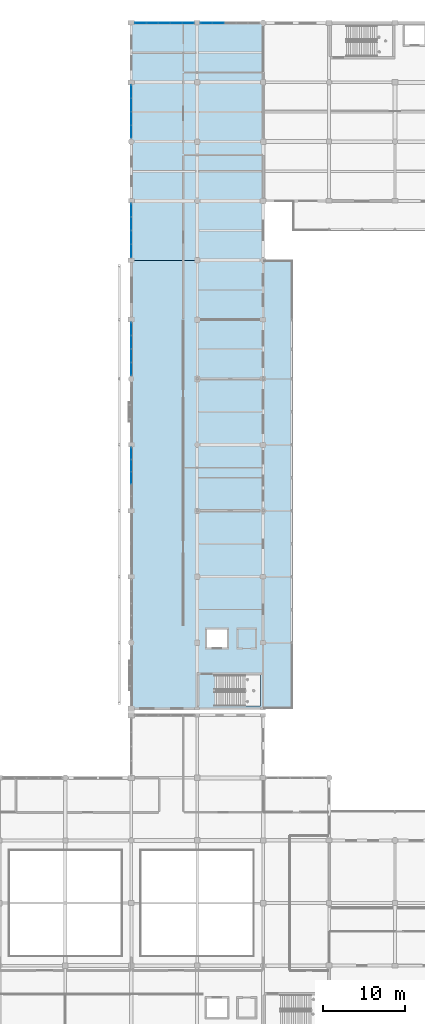
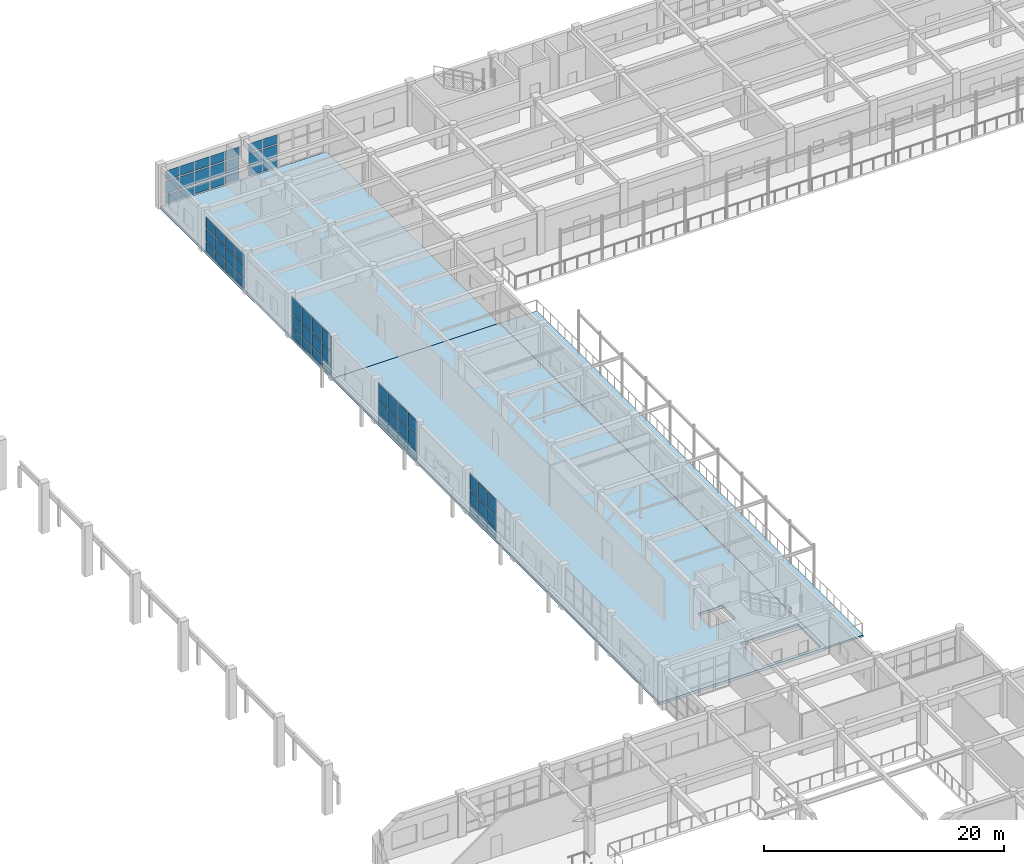
# One storey, part 114 of 160: 66 plates, 3 slabs, 6 elements without a shape of their own.
"""IFC4 building model written with IfcOpenShell, lengths in metres."""

from ifc_helpers import new_model, si_unit, direction, frame, origin, origin_2d, place, context, subcontext, project, spatial, polyline, rectangle, outline, extrude, material, layer, layer_set, type_object, element, aggregate, save


model = new_model("IFC4")

# Units and contexts
model_context = context("Model", 3, precision=1e-05, world=origin(), true_north=direction((0.0, 1.0)))
body_context = subcontext(model_context, "Body", "Model", "MODEL_VIEW")
ifc_project = project(units=[si_unit("LENGTHUNIT", "METRE"), si_unit("AREAUNIT", "SQUARE_METRE"), si_unit("VOLUMEUNIT", "CUBIC_METRE"), si_unit("PLANEANGLEUNIT", "RADIAN"), si_unit("MASSUNIT", "GRAM", prefix="KILO")], contexts=[model_context])

# Site, building, storey
site_placement = place(None, origin())
site = spatial("IfcSite", under=ifc_project, at=site_placement, CompositionType="ELEMENT")
building_placement = place(site_placement, origin())
building = spatial("IfcBuilding", under=site, at=building_placement, Name="Kharva Crest Polytechnic", CompositionType="ELEMENT")
storey_placement = place(building_placement, frame((0.0, 0.0, 4.5)))
storey = spatial("IfcBuildingStorey", under=building, at=storey_placement, Name="L01", CompositionType="ELEMENT", Elevation=4.5)

# Curtain wall, plates
ifc_material_1 = material(Name="Tempered insulated glass", Category="glass")
curtain_wall_type = type_object("IfcCurtainWallType", Name="CW-SYS-COURT", PredefinedType="USERDEFINED", material=ifc_material_1)
curtain_wall_1_placement = place(storey_placement, origin())
curtain_wall_1 = element("IfcCurtainWall", 1, at=curtain_wall_1_placement, inside=storey, type_object=curtain_wall_type, Name="L01 Glazed Curtain Wall CW-053", ObjectType="CURTAIN WALL", PredefinedType="USERDEFINED")
ifc_layer_1 = layer(ifc_material_1, 0.02392578125, Name="Tempered insulated glass")
ifc_layer_set_1 = layer_set([ifc_layer_1], Name="Tempered insulated glass")
plate_type = type_object("IfcPlateType", Name="CWP-GLZ-24", PredefinedType="CURTAIN_PANEL", material=ifc_layer_set_1)
plate_1_placement = place(storey_placement, frame((32.0, 84.858642578125, 0.119873046875), z_axis=(0.0, 0.0, 1.0), x_axis=(0.0, -1.0, 0.0)))
plate_1 = element("IfcPlate", 2, at=plate_1_placement, type_object=plate_type, Name="CW-053 panel 1.1", PredefinedType="CURTAIN_PANEL", context=body_context, shape_type="SweptSolid", body=[
    extrude(rectangle(XDim=1.512451171875, YDim=0.02392578125, at=origin_2d()), origin(), (0.0, 0.0, 1.0), 0.8701171875),
])
plate_2_placement = place(storey_placement, frame((32.0, 84.858642578125, 1.10986328125), z_axis=(0.0, 0.0, 1.0), x_axis=(0.0, -1.0, 0.0)))
plate_2 = element("IfcPlate", 3, at=plate_2_placement, type_object=plate_type, Name="CW-053 panel 1.2", PredefinedType="CURTAIN_PANEL", context=body_context, shape_type="SweptSolid", body=[
    extrude(rectangle(XDim=1.512451171875, YDim=0.02392578125, at=origin_2d()), origin(), (0.0, 0.0, 1.0), 1.280029296875),
])
plate_3_placement = place(storey_placement, frame((32.0, 84.858642578125, 2.509765625), z_axis=(0.0, 0.0, 1.0), x_axis=(0.0, -1.0, 0.0)))
plate_3 = element("IfcPlate", 4, at=plate_3_placement, type_object=plate_type, Name="CW-053 panel 1.3", PredefinedType="CURTAIN_PANEL", context=body_context, shape_type="SweptSolid", body=[
    extrude(rectangle(XDim=1.512451171875, YDim=0.02392578125, at=origin_2d()), origin(), (0.0, 0.0, 1.0), 1.590087890625),
])
plate_4_placement = place(storey_placement, frame((32.0, 83.246337890625, 0.119873046875), z_axis=(0.0, 0.0, 1.0), x_axis=(0.0, -1.0, 0.0)))
plate_4 = element("IfcPlate", 5, at=plate_4_placement, type_object=plate_type, Name="CW-053 panel 2.1", PredefinedType="CURTAIN_PANEL", context=body_context, shape_type="SweptSolid", body=[
    extrude(rectangle(XDim=1.552490234375, YDim=0.02392578125, at=origin_2d()), origin(), (0.0, 0.0, 1.0), 0.8701171875),
])
plate_5_placement = place(storey_placement, frame((32.0, 83.246337890625, 1.10986328125), z_axis=(0.0, 0.0, 1.0), x_axis=(0.0, -1.0, 0.0)))
plate_5 = element("IfcPlate", 6, at=plate_5_placement, type_object=plate_type, Name="CW-053 panel 2.2", PredefinedType="CURTAIN_PANEL", context=body_context, shape_type="SweptSolid", body=[
    extrude(rectangle(XDim=1.552490234375, YDim=0.02392578125, at=origin_2d()), origin(), (0.0, 0.0, 1.0), 1.280029296875),
])
plate_6_placement = place(storey_placement, frame((32.0, 83.246337890625, 2.509765625), z_axis=(0.0, 0.0, 1.0), x_axis=(0.0, -1.0, 0.0)))
plate_6 = element("IfcPlate", 7, at=plate_6_placement, type_object=plate_type, Name="CW-053 panel 2.3", PredefinedType="CURTAIN_PANEL", context=body_context, shape_type="SweptSolid", body=[
    extrude(rectangle(XDim=1.552490234375, YDim=0.02392578125, at=origin_2d()), origin(), (0.0, 0.0, 1.0), 1.590087890625),
])
plate_7_placement = place(storey_placement, frame((32.0, 81.61376953125, 0.119873046875), z_axis=(0.0, 0.0, 1.0), x_axis=(0.0, -1.0, 0.0)))
plate_7 = element("IfcPlate", 8, at=plate_7_placement, type_object=plate_type, Name="CW-053 panel 3.1", PredefinedType="CURTAIN_PANEL", context=body_context, shape_type="SweptSolid", body=[
    extrude(rectangle(XDim=1.552490234375, YDim=0.02392578125, at=origin_2d()), origin(), (0.0, 0.0, 1.0), 0.8701171875),
])
plate_8_placement = place(storey_placement, frame((32.0, 81.61376953125, 1.10986328125), z_axis=(0.0, 0.0, 1.0), x_axis=(0.0, -1.0, 0.0)))
plate_8 = element("IfcPlate", 9, at=plate_8_placement, type_object=plate_type, Name="CW-053 panel 3.2", PredefinedType="CURTAIN_PANEL", context=body_context, shape_type="SweptSolid", body=[
    extrude(rectangle(XDim=1.552490234375, YDim=0.02392578125, at=origin_2d()), origin(), (0.0, 0.0, 1.0), 1.280029296875),
])
plate_9_placement = place(storey_placement, frame((32.0, 81.61376953125, 2.509765625), z_axis=(0.0, 0.0, 1.0), x_axis=(0.0, -1.0, 0.0)))
plate_9 = element("IfcPlate", 10, at=plate_9_placement, type_object=plate_type, Name="CW-053 panel 3.3", PredefinedType="CURTAIN_PANEL", context=body_context, shape_type="SweptSolid", body=[
    extrude(rectangle(XDim=1.552490234375, YDim=0.02392578125, at=origin_2d()), origin(), (0.0, 0.0, 1.0), 1.590087890625),
])
plate_10_placement = place(storey_placement, frame((32.0, 80.001220703125, 0.119873046875), z_axis=(0.0, 0.0, 1.0), x_axis=(0.0, -1.0, 0.0)))
plate_10 = element("IfcPlate", 11, at=plate_10_placement, type_object=plate_type, Name="CW-053 panel 4.1", PredefinedType="CURTAIN_PANEL", context=body_context, shape_type="SweptSolid", body=[
    extrude(rectangle(XDim=1.512451171875, YDim=0.02392578125, at=origin_2d()), origin(), (0.0, 0.0, 1.0), 0.8701171875),
])
plate_11_placement = place(storey_placement, frame((32.0, 80.001220703125, 1.10986328125), z_axis=(0.0, 0.0, 1.0), x_axis=(0.0, -1.0, 0.0)))
plate_11 = element("IfcPlate", 12, at=plate_11_placement, type_object=plate_type, Name="CW-053 panel 4.2", PredefinedType="CURTAIN_PANEL", context=body_context, shape_type="SweptSolid", body=[
    extrude(rectangle(XDim=1.512451171875, YDim=0.02392578125, at=origin_2d()), origin(), (0.0, 0.0, 1.0), 1.280029296875),
])
plate_12_placement = place(storey_placement, frame((32.0, 80.001220703125, 2.509765625), z_axis=(0.0, 0.0, 1.0), x_axis=(0.0, -1.0, 0.0)))
plate_12 = element("IfcPlate", 13, at=plate_12_placement, type_object=plate_type, Name="CW-053 panel 4.3", PredefinedType="CURTAIN_PANEL", context=body_context, shape_type="SweptSolid", body=[
    extrude(rectangle(XDim=1.512451171875, YDim=0.02392578125, at=origin_2d()), origin(), (0.0, 0.0, 1.0), 1.590087890625),
])
aggregate(curtain_wall_1, [plate_1, plate_2, plate_3, plate_4, plate_5, plate_6, plate_7, plate_8, plate_9, plate_10, plate_11, plate_12])

curtain_wall_2_placement = place(storey_placement, origin())
curtain_wall_2 = element("IfcCurtainWall", 14, at=curtain_wall_2_placement, inside=storey, type_object=curtain_wall_type, Name="L01 Glazed Curtain Wall CW-054", ObjectType="CURTAIN WALL", PredefinedType="USERDEFINED")
plate_13_placement = place(storey_placement, frame((32.0, 69.756103515625, 0.119873046875), z_axis=(0.0, 0.0, 1.0), x_axis=(0.0, -1.0, 0.0)))
plate_13 = element("IfcPlate", 15, at=plate_13_placement, type_object=plate_type, Name="CW-054 panel 1.1", PredefinedType="CURTAIN_PANEL", context=body_context, shape_type="SweptSolid", body=[
    extrude(rectangle(XDim=1.367919921875, YDim=0.02392578125, at=origin_2d()), origin(), (0.0, 0.0, 1.0), 0.8701171875),
])
plate_14_placement = place(storey_placement, frame((32.0, 69.756103515625, 1.10986328125), z_axis=(0.0, 0.0, 1.0), x_axis=(0.0, -1.0, 0.0)))
plate_14 = element("IfcPlate", 16, at=plate_14_placement, type_object=plate_type, Name="CW-054 panel 1.2", PredefinedType="CURTAIN_PANEL", context=body_context, shape_type="SweptSolid", body=[
    extrude(rectangle(XDim=1.367919921875, YDim=0.02392578125, at=origin_2d()), origin(), (0.0, 0.0, 1.0), 1.280029296875),
])
plate_15_placement = place(storey_placement, frame((32.0, 69.756103515625, 2.509765625), z_axis=(0.0, 0.0, 1.0), x_axis=(0.0, -1.0, 0.0)))
plate_15 = element("IfcPlate", 17, at=plate_15_placement, type_object=plate_type, Name="CW-054 panel 1.3", PredefinedType="CURTAIN_PANEL", context=body_context, shape_type="SweptSolid", body=[
    extrude(rectangle(XDim=1.367919921875, YDim=0.02392578125, at=origin_2d()), origin(), (0.0, 0.0, 1.0), 1.590087890625),
])
plate_16_placement = place(storey_placement, frame((32.0, 68.2880859375, 0.119873046875), z_axis=(0.0, 0.0, 1.0), x_axis=(0.0, -1.0, 0.0)))
plate_16 = element("IfcPlate", 18, at=plate_16_placement, type_object=plate_type, Name="CW-054 panel 2.1", PredefinedType="CURTAIN_PANEL", context=body_context, shape_type="SweptSolid", body=[
    extrude(rectangle(XDim=1.407958984375, YDim=0.02392578125, at=origin_2d()), origin(), (0.0, 0.0, 1.0), 0.8701171875),
])
plate_17_placement = place(storey_placement, frame((32.0, 68.2880859375, 1.10986328125), z_axis=(0.0, 0.0, 1.0), x_axis=(0.0, -1.0, 0.0)))
plate_17 = element("IfcPlate", 19, at=plate_17_placement, type_object=plate_type, Name="CW-054 panel 2.2", PredefinedType="CURTAIN_PANEL", context=body_context, shape_type="SweptSolid", body=[
    extrude(rectangle(XDim=1.407958984375, YDim=0.02392578125, at=origin_2d()), origin(), (0.0, 0.0, 1.0), 1.280029296875),
])
plate_18_placement = place(storey_placement, frame((32.0, 68.2880859375, 2.509765625), z_axis=(0.0, 0.0, 1.0), x_axis=(0.0, -1.0, 0.0)))
plate_18 = element("IfcPlate", 20, at=plate_18_placement, type_object=plate_type, Name="CW-054 panel 2.3", PredefinedType="CURTAIN_PANEL", context=body_context, shape_type="SweptSolid", body=[
    extrude(rectangle(XDim=1.407958984375, YDim=0.02392578125, at=origin_2d()), origin(), (0.0, 0.0, 1.0), 1.590087890625),
])
plate_19_placement = place(storey_placement, frame((32.0, 66.800048828125, 0.119873046875), z_axis=(0.0, 0.0, 1.0), x_axis=(0.0, -1.0, 0.0)))
plate_19 = element("IfcPlate", 21, at=plate_19_placement, type_object=plate_type, Name="CW-054 panel 3.1", PredefinedType="CURTAIN_PANEL", context=body_context, shape_type="SweptSolid", body=[
    extrude(rectangle(XDim=1.407958984375, YDim=0.02392578125, at=origin_2d()), origin(), (0.0, 0.0, 1.0), 0.8701171875),
])
plate_20_placement = place(storey_placement, frame((32.0, 66.800048828125, 1.10986328125), z_axis=(0.0, 0.0, 1.0), x_axis=(0.0, -1.0, 0.0)))
plate_20 = element("IfcPlate", 22, at=plate_20_placement, type_object=plate_type, Name="CW-054 panel 3.2", PredefinedType="CURTAIN_PANEL", context=body_context, shape_type="SweptSolid", body=[
    extrude(rectangle(XDim=1.407958984375, YDim=0.02392578125, at=origin_2d()), origin(), (0.0, 0.0, 1.0), 1.280029296875),
])
plate_21_placement = place(storey_placement, frame((32.0, 66.800048828125, 2.509765625), z_axis=(0.0, 0.0, 1.0), x_axis=(0.0, -1.0, 0.0)))
plate_21 = element("IfcPlate", 23, at=plate_21_placement, type_object=plate_type, Name="CW-054 panel 3.3", PredefinedType="CURTAIN_PANEL", context=body_context, shape_type="SweptSolid", body=[
    extrude(rectangle(XDim=1.407958984375, YDim=0.02392578125, at=origin_2d()), origin(), (0.0, 0.0, 1.0), 1.590087890625),
])
aggregate(curtain_wall_2, [plate_13, plate_14, plate_15, plate_16, plate_17, plate_18, plate_19, plate_20, plate_21])

curtain_wall_3_placement = place(storey_placement, origin())
curtain_wall_3 = element("IfcCurtainWall", 24, at=curtain_wall_3_placement, inside=storey, type_object=curtain_wall_type, Name="L01 Glazed Curtain Wall CW-076", ObjectType="CURTAIN WALL", PredefinedType="USERDEFINED")
plate_22_placement = place(storey_placement, frame((42.5458984375, 122.0, 0.119873046875), z_axis=(0.0, 0.0, 1.0), x_axis=(-1.0, 0.0, 0.0)))
plate_22 = element("IfcPlate", 25, at=plate_22_placement, type_object=plate_type, Name="CW-076 panel 4.1", PredefinedType="CURTAIN_PANEL", context=body_context, shape_type="SweptSolid", body=[
    extrude(rectangle(XDim=1.3740234375, YDim=0.02392578125, at=origin_2d()), origin(), (0.0, 0.0, 1.0), 0.8701171875),
])
plate_23_placement = place(storey_placement, frame((42.5458984375, 122.0, 1.10986328125), z_axis=(0.0, 0.0, 1.0), x_axis=(-1.0, 0.0, 0.0)))
plate_23 = element("IfcPlate", 26, at=plate_23_placement, type_object=plate_type, Name="CW-076 panel 4.2", PredefinedType="CURTAIN_PANEL", context=body_context, shape_type="SweptSolid", body=[
    extrude(rectangle(XDim=1.3740234375, YDim=0.02392578125, at=origin_2d()), origin(), (0.0, 0.0, 1.0), 1.280029296875),
])
plate_24_placement = place(storey_placement, frame((42.5458984375, 122.0, 2.51025390625), z_axis=(0.0, 0.0, 1.0), x_axis=(-1.0, 0.0, 0.0)))
plate_24 = element("IfcPlate", 27, at=plate_24_placement, type_object=plate_type, Name="CW-076 panel 4.3", PredefinedType="CURTAIN_PANEL", context=body_context, shape_type="SweptSolid", body=[
    extrude(rectangle(XDim=1.3740234375, YDim=0.02392578125, at=origin_2d()), origin(), (0.0, 0.0, 1.0), 0.909912109375),
])
plate_25_placement = place(storey_placement, frame((41.112060546875, 122.0, 0.119873046875), z_axis=(0.0, 0.0, 1.0), x_axis=(-1.0, 0.0, 0.0)))
plate_25 = element("IfcPlate", 28, at=plate_25_placement, type_object=plate_type, Name="CW-076 panel 5.1", PredefinedType="CURTAIN_PANEL", context=body_context, shape_type="SweptSolid", body=[
    extrude(rectangle(XDim=1.333984375, YDim=0.02392578125, at=origin_2d()), origin(), (0.0, 0.0, 1.0), 0.8701171875),
])
plate_26_placement = place(storey_placement, frame((41.112060546875, 122.0, 1.10986328125), z_axis=(0.0, 0.0, 1.0), x_axis=(-1.0, 0.0, 0.0)))
plate_26 = element("IfcPlate", 29, at=plate_26_placement, type_object=plate_type, Name="CW-076 panel 5.2", PredefinedType="CURTAIN_PANEL", context=body_context, shape_type="SweptSolid", body=[
    extrude(rectangle(XDim=1.333984375, YDim=0.02392578125, at=origin_2d()), origin(), (0.0, 0.0, 1.0), 1.280029296875),
])
plate_27_placement = place(storey_placement, frame((41.112060546875, 122.0, 2.51025390625), z_axis=(0.0, 0.0, 1.0), x_axis=(-1.0, 0.0, 0.0)))
plate_27 = element("IfcPlate", 30, at=plate_27_placement, type_object=plate_type, Name="CW-076 panel 5.3", PredefinedType="CURTAIN_PANEL", context=body_context, shape_type="SweptSolid", body=[
    extrude(rectangle(XDim=1.333984375, YDim=0.02392578125, at=origin_2d()), origin(), (0.0, 0.0, 1.0), 0.909912109375),
])
aggregate(curtain_wall_3, [plate_22, plate_23, plate_24, plate_25, plate_26, plate_27])

curtain_wall_4_placement = place(storey_placement, origin())
curtain_wall_4 = element("IfcCurtainWall", 31, at=curtain_wall_4_placement, inside=storey, type_object=curtain_wall_type, Name="L01 Glazed Curtain Wall CW-077", ObjectType="CURTAIN WALL", PredefinedType="USERDEFINED")
plate_28_placement = place(storey_placement, frame((38.889404296875, 122.0, 0.119873046875), z_axis=(0.0, 0.0, 1.0), x_axis=(-1.0, 0.0, 0.0)))
plate_28 = element("IfcPlate", 32, at=plate_28_placement, type_object=plate_type, Name="CW-077 panel 1.1", PredefinedType="CURTAIN_PANEL", context=body_context, shape_type="SweptSolid", body=[
    extrude(rectangle(XDim=1.3310546875, YDim=0.02392578125, at=origin_2d()), origin(), (0.0, 0.0, 1.0), 0.8701171875),
])
plate_29_placement = place(storey_placement, frame((38.889404296875, 122.0, 1.10986328125), z_axis=(0.0, 0.0, 1.0), x_axis=(-1.0, 0.0, 0.0)))
plate_29 = element("IfcPlate", 33, at=plate_29_placement, type_object=plate_type, Name="CW-077 panel 1.2", PredefinedType="CURTAIN_PANEL", context=body_context, shape_type="SweptSolid", body=[
    extrude(rectangle(XDim=1.3310546875, YDim=0.02392578125, at=origin_2d()), origin(), (0.0, 0.0, 1.0), 1.280029296875),
])
plate_30_placement = place(storey_placement, frame((38.889404296875, 122.0, 2.510009765625), z_axis=(0.0, 0.0, 1.0), x_axis=(-1.0, 0.0, 0.0)))
plate_30 = element("IfcPlate", 34, at=plate_30_placement, type_object=plate_type, Name="CW-077 panel 1.3", PredefinedType="CURTAIN_PANEL", context=body_context, shape_type="SweptSolid", body=[
    extrude(rectangle(XDim=1.3310546875, YDim=0.02392578125, at=origin_2d()), origin(), (0.0, 0.0, 1.0), 0.93994140625),
])
plate_31_placement = place(storey_placement, frame((37.45849609375, 122.0, 0.119873046875), z_axis=(0.0, 0.0, 1.0), x_axis=(-1.0, 0.0, 0.0)))
plate_31 = element("IfcPlate", 35, at=plate_31_placement, type_object=plate_type, Name="CW-077 panel 2.1", PredefinedType="CURTAIN_PANEL", context=body_context, shape_type="SweptSolid", body=[
    extrude(rectangle(XDim=1.37109375, YDim=0.02392578125, at=origin_2d()), origin(), (0.0, 0.0, 1.0), 0.8701171875),
])
plate_32_placement = place(storey_placement, frame((37.45849609375, 122.0, 1.10986328125), z_axis=(0.0, 0.0, 1.0), x_axis=(-1.0, 0.0, 0.0)))
plate_32 = element("IfcPlate", 36, at=plate_32_placement, type_object=plate_type, Name="CW-077 panel 2.2", PredefinedType="CURTAIN_PANEL", context=body_context, shape_type="SweptSolid", body=[
    extrude(rectangle(XDim=1.37109375, YDim=0.02392578125, at=origin_2d()), origin(), (0.0, 0.0, 1.0), 1.280029296875),
])
plate_33_placement = place(storey_placement, frame((37.45849609375, 122.0, 2.510009765625), z_axis=(0.0, 0.0, 1.0), x_axis=(-1.0, 0.0, 0.0)))
plate_33 = element("IfcPlate", 37, at=plate_33_placement, type_object=plate_type, Name="CW-077 panel 2.3", PredefinedType="CURTAIN_PANEL", context=body_context, shape_type="SweptSolid", body=[
    extrude(rectangle(XDim=1.37109375, YDim=0.02392578125, at=origin_2d()), origin(), (0.0, 0.0, 1.0), 0.93994140625),
])
plate_34_placement = place(storey_placement, frame((36.007568359375, 122.0, 0.119873046875), z_axis=(0.0, 0.0, 1.0), x_axis=(-1.0, 0.0, 0.0)))
plate_34 = element("IfcPlate", 38, at=plate_34_placement, type_object=plate_type, Name="CW-077 panel 3.1", PredefinedType="CURTAIN_PANEL", context=body_context, shape_type="SweptSolid", body=[
    extrude(rectangle(XDim=1.37109375, YDim=0.02392578125, at=origin_2d()), origin(), (0.0, 0.0, 1.0), 0.8701171875),
])
plate_35_placement = place(storey_placement, frame((36.007568359375, 122.0, 1.10986328125), z_axis=(0.0, 0.0, 1.0), x_axis=(-1.0, 0.0, 0.0)))
plate_35 = element("IfcPlate", 39, at=plate_35_placement, type_object=plate_type, Name="CW-077 panel 3.2", PredefinedType="CURTAIN_PANEL", context=body_context, shape_type="SweptSolid", body=[
    extrude(rectangle(XDim=1.37109375, YDim=0.02392578125, at=origin_2d()), origin(), (0.0, 0.0, 1.0), 1.280029296875),
])
plate_36_placement = place(storey_placement, frame((36.007568359375, 122.0, 2.510009765625), z_axis=(0.0, 0.0, 1.0), x_axis=(-1.0, 0.0, 0.0)))
plate_36 = element("IfcPlate", 40, at=plate_36_placement, type_object=plate_type, Name="CW-077 panel 3.3", PredefinedType="CURTAIN_PANEL", context=body_context, shape_type="SweptSolid", body=[
    extrude(rectangle(XDim=1.37109375, YDim=0.02392578125, at=origin_2d()), origin(), (0.0, 0.0, 1.0), 0.93994140625),
])
plate_37_placement = place(storey_placement, frame((34.556396484375, 122.0, 0.119873046875), z_axis=(0.0, 0.0, 1.0), x_axis=(-1.0, 0.0, 0.0)))
plate_37 = element("IfcPlate", 41, at=plate_37_placement, type_object=plate_type, Name="CW-077 panel 4.1", PredefinedType="CURTAIN_PANEL", context=body_context, shape_type="SweptSolid", body=[
    extrude(rectangle(XDim=1.37109375, YDim=0.02392578125, at=origin_2d()), origin(), (0.0, 0.0, 1.0), 0.8701171875),
])
plate_38_placement = place(storey_placement, frame((34.556396484375, 122.0, 1.10986328125), z_axis=(0.0, 0.0, 1.0), x_axis=(-1.0, 0.0, 0.0)))
plate_38 = element("IfcPlate", 42, at=plate_38_placement, type_object=plate_type, Name="CW-077 panel 4.2", PredefinedType="CURTAIN_PANEL", context=body_context, shape_type="SweptSolid", body=[
    extrude(rectangle(XDim=1.37109375, YDim=0.02392578125, at=origin_2d()), origin(), (0.0, 0.0, 1.0), 1.280029296875),
])
plate_39_placement = place(storey_placement, frame((34.556396484375, 122.0, 2.510009765625), z_axis=(0.0, 0.0, 1.0), x_axis=(-1.0, 0.0, 0.0)))
plate_39 = element("IfcPlate", 43, at=plate_39_placement, type_object=plate_type, Name="CW-077 panel 4.3", PredefinedType="CURTAIN_PANEL", context=body_context, shape_type="SweptSolid", body=[
    extrude(rectangle(XDim=1.37109375, YDim=0.02392578125, at=origin_2d()), origin(), (0.0, 0.0, 1.0), 0.93994140625),
])
plate_40_placement = place(storey_placement, frame((33.12548828125, 122.0, 0.119873046875), z_axis=(0.0, 0.0, 1.0), x_axis=(-1.0, 0.0, 0.0)))
plate_40 = element("IfcPlate", 44, at=plate_40_placement, type_object=plate_type, Name="CW-077 panel 5.1", PredefinedType="CURTAIN_PANEL", context=body_context, shape_type="SweptSolid", body=[
    extrude(rectangle(XDim=1.3310546875, YDim=0.02392578125, at=origin_2d()), origin(), (0.0, 0.0, 1.0), 0.8701171875),
])
plate_41_placement = place(storey_placement, frame((33.12548828125, 122.0, 1.10986328125), z_axis=(0.0, 0.0, 1.0), x_axis=(-1.0, 0.0, 0.0)))
plate_41 = element("IfcPlate", 45, at=plate_41_placement, type_object=plate_type, Name="CW-077 panel 5.2", PredefinedType="CURTAIN_PANEL", context=body_context, shape_type="SweptSolid", body=[
    extrude(rectangle(XDim=1.3310546875, YDim=0.02392578125, at=origin_2d()), origin(), (0.0, 0.0, 1.0), 1.280029296875),
])
plate_42_placement = place(storey_placement, frame((33.12548828125, 122.0, 2.510009765625), z_axis=(0.0, 0.0, 1.0), x_axis=(-1.0, 0.0, 0.0)))
plate_42 = element("IfcPlate", 46, at=plate_42_placement, type_object=plate_type, Name="CW-077 panel 5.3", PredefinedType="CURTAIN_PANEL", context=body_context, shape_type="SweptSolid", body=[
    extrude(rectangle(XDim=1.3310546875, YDim=0.02392578125, at=origin_2d()), origin(), (0.0, 0.0, 1.0), 0.93994140625),
])
aggregate(curtain_wall_4, [plate_28, plate_29, plate_30, plate_31, plate_32, plate_33, plate_34, plate_35, plate_36, plate_37, plate_38, plate_39, plate_40, plate_41, plate_42])

curtain_wall_5_placement = place(storey_placement, origin())
curtain_wall_5 = element("IfcCurtainWall", 47, at=curtain_wall_5_placement, inside=storey, type_object=curtain_wall_type, Name="L01 Glazed Curtain Wall CW-078", ObjectType="CURTAIN WALL", PredefinedType="USERDEFINED")
plate_43_placement = place(storey_placement, frame((32.0, 113.65869140625, 0.119873046875), z_axis=(0.0, 0.0, 1.0), x_axis=(0.0, -1.0, 0.0)))
plate_43 = element("IfcPlate", 48, at=plate_43_placement, type_object=plate_type, Name="CW-078 panel 1.1", PredefinedType="CURTAIN_PANEL", context=body_context, shape_type="SweptSolid", body=[
    extrude(rectangle(XDim=1.512451171875, YDim=0.02392578125, at=origin_2d()), origin(), (0.0, 0.0, 1.0), 0.8701171875),
])
plate_44_placement = place(storey_placement, frame((32.0, 113.65869140625, 1.10986328125), z_axis=(0.0, 0.0, 1.0), x_axis=(0.0, -1.0, 0.0)))
plate_44 = element("IfcPlate", 49, at=plate_44_placement, type_object=plate_type, Name="CW-078 panel 1.2", PredefinedType="CURTAIN_PANEL", context=body_context, shape_type="SweptSolid", body=[
    extrude(rectangle(XDim=1.512451171875, YDim=0.02392578125, at=origin_2d()), origin(), (0.0, 0.0, 1.0), 1.280029296875),
])
plate_45_placement = place(storey_placement, frame((32.0, 113.65869140625, 2.509765625), z_axis=(0.0, 0.0, 1.0), x_axis=(0.0, -1.0, 0.0)))
plate_45 = element("IfcPlate", 50, at=plate_45_placement, type_object=plate_type, Name="CW-078 panel 1.3", PredefinedType="CURTAIN_PANEL", context=body_context, shape_type="SweptSolid", body=[
    extrude(rectangle(XDim=1.512451171875, YDim=0.02392578125, at=origin_2d()), origin(), (0.0, 0.0, 1.0), 1.070068359375),
])
plate_46_placement = place(storey_placement, frame((32.0, 112.046142578125, 0.119873046875), z_axis=(0.0, 0.0, 1.0), x_axis=(0.0, -1.0, 0.0)))
plate_46 = element("IfcPlate", 51, at=plate_46_placement, type_object=plate_type, Name="CW-078 panel 2.1", PredefinedType="CURTAIN_PANEL", context=body_context, shape_type="SweptSolid", body=[
    extrude(rectangle(XDim=1.552490234375, YDim=0.02392578125, at=origin_2d()), origin(), (0.0, 0.0, 1.0), 0.8701171875),
])
plate_47_placement = place(storey_placement, frame((32.0, 112.046142578125, 1.10986328125), z_axis=(0.0, 0.0, 1.0), x_axis=(0.0, -1.0, 0.0)))
plate_47 = element("IfcPlate", 52, at=plate_47_placement, type_object=plate_type, Name="CW-078 panel 2.2", PredefinedType="CURTAIN_PANEL", context=body_context, shape_type="SweptSolid", body=[
    extrude(rectangle(XDim=1.552490234375, YDim=0.02392578125, at=origin_2d()), origin(), (0.0, 0.0, 1.0), 1.280029296875),
])
plate_48_placement = place(storey_placement, frame((32.0, 112.046142578125, 2.509765625), z_axis=(0.0, 0.0, 1.0), x_axis=(0.0, -1.0, 0.0)))
plate_48 = element("IfcPlate", 53, at=plate_48_placement, type_object=plate_type, Name="CW-078 panel 2.3", PredefinedType="CURTAIN_PANEL", context=body_context, shape_type="SweptSolid", body=[
    extrude(rectangle(XDim=1.552490234375, YDim=0.02392578125, at=origin_2d()), origin(), (0.0, 0.0, 1.0), 1.070068359375),
])
plate_49_placement = place(storey_placement, frame((32.0, 110.413818359375, 0.119873046875), z_axis=(0.0, 0.0, 1.0), x_axis=(0.0, -1.0, 0.0)))
plate_49 = element("IfcPlate", 54, at=plate_49_placement, type_object=plate_type, Name="CW-078 panel 3.1", PredefinedType="CURTAIN_PANEL", context=body_context, shape_type="SweptSolid", body=[
    extrude(rectangle(XDim=1.552490234375, YDim=0.02392578125, at=origin_2d()), origin(), (0.0, 0.0, 1.0), 0.8701171875),
])
plate_50_placement = place(storey_placement, frame((32.0, 110.413818359375, 1.10986328125), z_axis=(0.0, 0.0, 1.0), x_axis=(0.0, -1.0, 0.0)))
plate_50 = element("IfcPlate", 55, at=plate_50_placement, type_object=plate_type, Name="CW-078 panel 3.2", PredefinedType="CURTAIN_PANEL", context=body_context, shape_type="SweptSolid", body=[
    extrude(rectangle(XDim=1.552490234375, YDim=0.02392578125, at=origin_2d()), origin(), (0.0, 0.0, 1.0), 1.280029296875),
])
plate_51_placement = place(storey_placement, frame((32.0, 110.413818359375, 2.509765625), z_axis=(0.0, 0.0, 1.0), x_axis=(0.0, -1.0, 0.0)))
plate_51 = element("IfcPlate", 56, at=plate_51_placement, type_object=plate_type, Name="CW-078 panel 3.3", PredefinedType="CURTAIN_PANEL", context=body_context, shape_type="SweptSolid", body=[
    extrude(rectangle(XDim=1.552490234375, YDim=0.02392578125, at=origin_2d()), origin(), (0.0, 0.0, 1.0), 1.070068359375),
])
plate_52_placement = place(storey_placement, frame((32.0, 108.80126953125, 0.119873046875), z_axis=(0.0, 0.0, 1.0), x_axis=(0.0, -1.0, 0.0)))
plate_52 = element("IfcPlate", 57, at=plate_52_placement, type_object=plate_type, Name="CW-078 panel 4.1", PredefinedType="CURTAIN_PANEL", context=body_context, shape_type="SweptSolid", body=[
    extrude(rectangle(XDim=1.512451171875, YDim=0.02392578125, at=origin_2d()), origin(), (0.0, 0.0, 1.0), 0.8701171875),
])
plate_53_placement = place(storey_placement, frame((32.0, 108.80126953125, 1.10986328125), z_axis=(0.0, 0.0, 1.0), x_axis=(0.0, -1.0, 0.0)))
plate_53 = element("IfcPlate", 58, at=plate_53_placement, type_object=plate_type, Name="CW-078 panel 4.2", PredefinedType="CURTAIN_PANEL", context=body_context, shape_type="SweptSolid", body=[
    extrude(rectangle(XDim=1.512451171875, YDim=0.02392578125, at=origin_2d()), origin(), (0.0, 0.0, 1.0), 1.280029296875),
])
plate_54_placement = place(storey_placement, frame((32.0, 108.80126953125, 2.509765625), z_axis=(0.0, 0.0, 1.0), x_axis=(0.0, -1.0, 0.0)))
plate_54 = element("IfcPlate", 59, at=plate_54_placement, type_object=plate_type, Name="CW-078 panel 4.3", PredefinedType="CURTAIN_PANEL", context=body_context, shape_type="SweptSolid", body=[
    extrude(rectangle(XDim=1.512451171875, YDim=0.02392578125, at=origin_2d()), origin(), (0.0, 0.0, 1.0), 1.070068359375),
])
aggregate(curtain_wall_5, [plate_43, plate_44, plate_45, plate_46, plate_47, plate_48, plate_49, plate_50, plate_51, plate_52, plate_53, plate_54])

curtain_wall_6_placement = place(storey_placement, origin())
curtain_wall_6 = element("IfcCurtainWall", 60, at=curtain_wall_6_placement, inside=storey, type_object=curtain_wall_type, Name="L01 Glazed Curtain Wall CW-079", ObjectType="CURTAIN WALL", PredefinedType="USERDEFINED")
plate_55_placement = place(storey_placement, frame((32.0, 99.27001953125, 0.119873046875), z_axis=(0.0, 0.0, 1.0), x_axis=(0.0, -1.0, 0.0)))
plate_55 = element("IfcPlate", 61, at=plate_55_placement, type_object=plate_type, Name="CW-079 panel 1.1", PredefinedType="CURTAIN_PANEL", context=body_context, shape_type="SweptSolid", body=[
    extrude(rectangle(XDim=1.5400390625, YDim=0.02392578125, at=origin_2d()), origin(), (0.0, 0.0, 1.0), 0.8701171875),
])
plate_56_placement = place(storey_placement, frame((32.0, 99.27001953125, 1.10986328125), z_axis=(0.0, 0.0, 1.0), x_axis=(0.0, -1.0, 0.0)))
plate_56 = element("IfcPlate", 62, at=plate_56_placement, type_object=plate_type, Name="CW-079 panel 1.2", PredefinedType="CURTAIN_PANEL", context=body_context, shape_type="SweptSolid", body=[
    extrude(rectangle(XDim=1.5400390625, YDim=0.02392578125, at=origin_2d()), origin(), (0.0, 0.0, 1.0), 1.280029296875),
])
plate_57_placement = place(storey_placement, frame((32.0, 99.27001953125, 2.509765625), z_axis=(0.0, 0.0, 1.0), x_axis=(0.0, -1.0, 0.0)))
plate_57 = element("IfcPlate", 63, at=plate_57_placement, type_object=plate_type, Name="CW-079 panel 1.3", PredefinedType="CURTAIN_PANEL", context=body_context, shape_type="SweptSolid", body=[
    extrude(rectangle(XDim=1.5400390625, YDim=0.02392578125, at=origin_2d()), origin(), (0.0, 0.0, 1.0), 1.590087890625),
])
plate_58_placement = place(storey_placement, frame((32.0, 97.6298828125, 0.119873046875), z_axis=(0.0, 0.0, 1.0), x_axis=(0.0, -1.0, 0.0)))
plate_58 = element("IfcPlate", 64, at=plate_58_placement, type_object=plate_type, Name="CW-079 panel 2.1", PredefinedType="CURTAIN_PANEL", context=body_context, shape_type="SweptSolid", body=[
    extrude(rectangle(XDim=1.580078125, YDim=0.02392578125, at=origin_2d()), origin(), (0.0, 0.0, 1.0), 0.8701171875),
])
plate_59_placement = place(storey_placement, frame((32.0, 97.6298828125, 1.10986328125), z_axis=(0.0, 0.0, 1.0), x_axis=(0.0, -1.0, 0.0)))
plate_59 = element("IfcPlate", 65, at=plate_59_placement, type_object=plate_type, Name="CW-079 panel 2.2", PredefinedType="CURTAIN_PANEL", context=body_context, shape_type="SweptSolid", body=[
    extrude(rectangle(XDim=1.580078125, YDim=0.02392578125, at=origin_2d()), origin(), (0.0, 0.0, 1.0), 1.280029296875),
])
plate_60_placement = place(storey_placement, frame((32.0, 97.6298828125, 2.509765625), z_axis=(0.0, 0.0, 1.0), x_axis=(0.0, -1.0, 0.0)))
plate_60 = element("IfcPlate", 66, at=plate_60_placement, type_object=plate_type, Name="CW-079 panel 2.3", PredefinedType="CURTAIN_PANEL", context=body_context, shape_type="SweptSolid", body=[
    extrude(rectangle(XDim=1.580078125, YDim=0.02392578125, at=origin_2d()), origin(), (0.0, 0.0, 1.0), 1.590087890625),
])
plate_61_placement = place(storey_placement, frame((32.0, 95.969970703125, 0.119873046875), z_axis=(0.0, 0.0, 1.0), x_axis=(0.0, -1.0, 0.0)))
plate_61 = element("IfcPlate", 67, at=plate_61_placement, type_object=plate_type, Name="CW-079 panel 3.1", PredefinedType="CURTAIN_PANEL", context=body_context, shape_type="SweptSolid", body=[
    extrude(rectangle(XDim=1.580078125, YDim=0.02392578125, at=origin_2d()), origin(), (0.0, 0.0, 1.0), 0.8701171875),
])
plate_62_placement = place(storey_placement, frame((32.0, 95.969970703125, 1.10986328125), z_axis=(0.0, 0.0, 1.0), x_axis=(0.0, -1.0, 0.0)))
plate_62 = element("IfcPlate", 68, at=plate_62_placement, type_object=plate_type, Name="CW-079 panel 3.2", PredefinedType="CURTAIN_PANEL", context=body_context, shape_type="SweptSolid", body=[
    extrude(rectangle(XDim=1.580078125, YDim=0.02392578125, at=origin_2d()), origin(), (0.0, 0.0, 1.0), 1.280029296875),
])
plate_63_placement = place(storey_placement, frame((32.0, 95.969970703125, 2.509765625), z_axis=(0.0, 0.0, 1.0), x_axis=(0.0, -1.0, 0.0)))
plate_63 = element("IfcPlate", 69, at=plate_63_placement, type_object=plate_type, Name="CW-079 panel 3.3", PredefinedType="CURTAIN_PANEL", context=body_context, shape_type="SweptSolid", body=[
    extrude(rectangle(XDim=1.580078125, YDim=0.02392578125, at=origin_2d()), origin(), (0.0, 0.0, 1.0), 1.590087890625),
])
plate_64_placement = place(storey_placement, frame((32.0, 94.330078125, 0.119873046875), z_axis=(0.0, 0.0, 1.0), x_axis=(0.0, -1.0, 0.0)))
plate_64 = element("IfcPlate", 70, at=plate_64_placement, type_object=plate_type, Name="CW-079 panel 4.1", PredefinedType="CURTAIN_PANEL", context=body_context, shape_type="SweptSolid", body=[
    extrude(rectangle(XDim=1.5400390625, YDim=0.02392578125, at=origin_2d()), origin(), (0.0, 0.0, 1.0), 0.8701171875),
])
plate_65_placement = place(storey_placement, frame((32.0, 94.330078125, 1.10986328125), z_axis=(0.0, 0.0, 1.0), x_axis=(0.0, -1.0, 0.0)))
plate_65 = element("IfcPlate", 71, at=plate_65_placement, type_object=plate_type, Name="CW-079 panel 4.2", PredefinedType="CURTAIN_PANEL", context=body_context, shape_type="SweptSolid", body=[
    extrude(rectangle(XDim=1.5400390625, YDim=0.02392578125, at=origin_2d()), origin(), (0.0, 0.0, 1.0), 1.280029296875),
])
plate_66_placement = place(storey_placement, frame((32.0, 94.330078125, 2.509765625), z_axis=(0.0, 0.0, 1.0), x_axis=(0.0, -1.0, 0.0)))
plate_66 = element("IfcPlate", 72, at=plate_66_placement, type_object=plate_type, Name="CW-079 panel 4.3", PredefinedType="CURTAIN_PANEL", context=body_context, shape_type="SweptSolid", body=[
    extrude(rectangle(XDim=1.5400390625, YDim=0.02392578125, at=origin_2d()), origin(), (0.0, 0.0, 1.0), 1.590087890625),
])
aggregate(curtain_wall_6, [plate_55, plate_56, plate_57, plate_58, plate_59, plate_60, plate_61, plate_62, plate_63, plate_64, plate_65, plate_66])

# Slabs
ifc_material_2 = material(Name="Concrete C35/45", Category="concrete")
ifc_layer_2 = layer(ifc_material_2, 0.27001953125, Name="Concrete C35/45")
ifc_layer_set_2 = layer_set([ifc_layer_2], Name="Concrete C35/45")
slab_type_1 = type_object("IfcSlabType", Name="SLB-FLR-270", PredefinedType="FLOOR", material=ifc_layer_set_2)
slab_1_placement = place(storey_placement, frame((0.0, 0.0, -0.27001953125)))
element("IfcSlab", 73, at=slab_1_placement, inside=storey, type_object=slab_type_1, Name="L01 Structural Slab W_WKSHP_MEZZ", PredefinedType="FLOOR", context=body_context, shape_type="SweptSolid", body=[
    extrude(outline(polyline([(32.0, 38.800048828125), (48.0, 38.800048828125), (48.0, 93.199951171875), (32.0, 93.199951171875), (32.0, 38.800048828125)]), holes=[polyline([(42.1298828125, 39.10009765625), (47.699951171875, 39.10009765625), (47.699951171875, 42.860107421875), (42.1298828125, 42.860107421875), (42.1298828125, 39.10009765625)]), polyline([(41.199951171875, 46.199951171875), (43.60009765625, 46.199951171875), (43.60009765625, 48.39990234375), (41.199951171875, 48.39990234375), (41.199951171875, 46.199951171875)])]), origin(), (0.0, 0.0, 1.0), 0.27001953125),
])
slab_2_placement = place(storey_placement, frame((0.0, 0.0, -0.27001953125)))
element("IfcSlab", 74, at=slab_2_placement, inside=storey, type_object=slab_type_1, Name="L01 Structural Slab NW_WKSHP", PredefinedType="FLOOR", context=body_context, shape_type="SweptSolid", body=[
    extrude(outline(polyline([(32.0, 93.199951171875), (48.0, 93.199951171875), (48.0, 122.0), (32.0, 122.0), (32.0, 93.199951171875)])), origin(), (0.0, 0.0, 1.0), 0.27001953125),
])
ifc_layer_3 = layer(ifc_material_2, 0.18994140625, Name="Concrete C35/45")
ifc_layer_set_3 = layer_set([ifc_layer_3], Name="Concrete C35/45")
slab_type_2 = type_object("IfcSlabType", Name="SLB-VER-190", PredefinedType="FLOOR", material=ifc_layer_set_3)
slab_3_placement = place(storey_placement, frame((0.0, 0.0, -0.18994140625)))
element("IfcSlab", 75, at=slab_3_placement, inside=storey, type_object=slab_type_2, Name="L01 Outdoor Veranda Slab VER_W_L01", PredefinedType="FLOOR", context=body_context, shape_type="SweptSolid", body=[
    extrude(outline(polyline([(48.0, 38.800048828125), (51.60009765625, 38.800048828125), (51.60009765625, 93.199951171875), (48.0, 93.199951171875), (48.0, 38.800048828125)])), origin(), (0.0, 0.0, 1.0), 0.18994140625),
])

save(model, "model.ifc")
